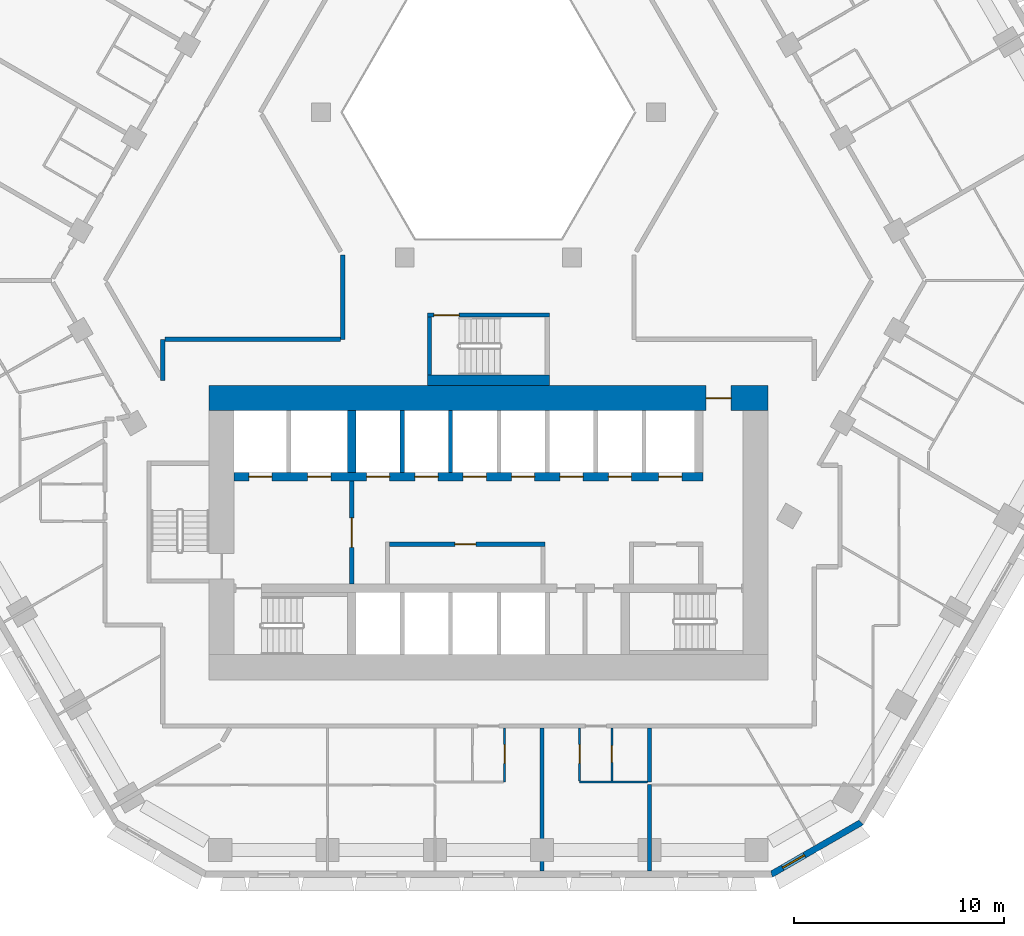
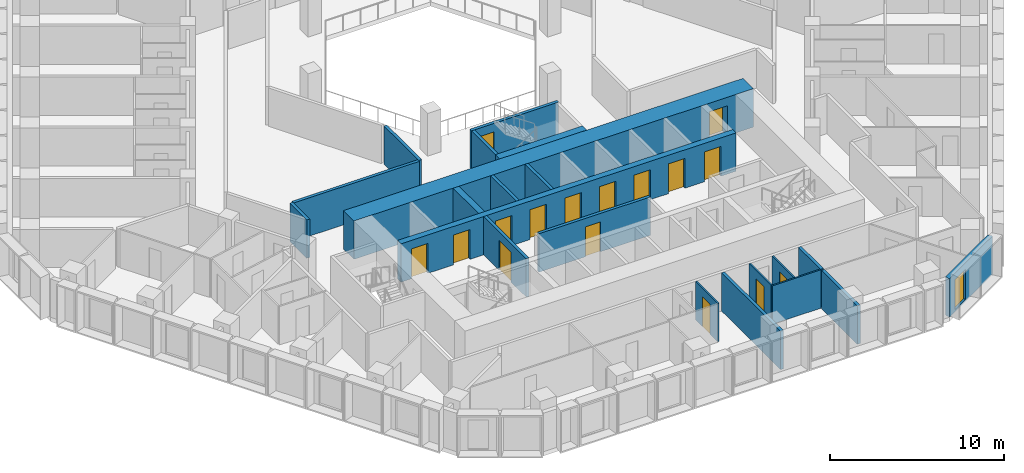
# One storey, part 5 of 16: 21 walls, 16 doors, 1 window, 17 openings.
"""IFC4 building model written with IfcOpenShell, lengths in metres."""

from ifc_helpers import new_model, si_unit, direction, frame, frame_2d, origin, place, context, subcontext, project, spatial, polyline, rectangle, outline, extrude, material, layer, layer_set, type_object, element, fill, save


model = new_model("IFC4")

# Units and contexts
model_context = context("Model", 3, precision=1e-05, world=origin(), true_north=direction((0.0, 1.0)))
body_context = subcontext(model_context, "Body", "Model", "MODEL_VIEW")
ifc_project = project(units=[si_unit("LENGTHUNIT", "METRE"), si_unit("AREAUNIT", "SQUARE_METRE"), si_unit("VOLUMEUNIT", "CUBIC_METRE"), si_unit("PLANEANGLEUNIT", "RADIAN"), si_unit("MASSUNIT", "GRAM", prefix="KILO")], contexts=[model_context])

# Site, building, storey
site_placement = place(None, origin())
site = spatial("IfcSite", under=ifc_project, at=site_placement, CompositionType="ELEMENT")
building_placement = place(site_placement, origin())
building = spatial("IfcBuilding", under=site, at=building_placement, Name="Beryl Residences", CompositionType="ELEMENT")
storey_placement = place(building_placement, frame((0.0, 0.0, 26.39990234375)))
storey = spatial("IfcBuildingStorey", under=building, at=storey_placement, Name="L07", CompositionType="ELEMENT", Elevation=26.39990234375)

# Wall, opening, window
ifc_material_1 = material(Name="Composite metal panel with mineral wool insulation")
ifc_layer_1 = layer(ifc_material_1, 0.300048828125)
ifc_layer_set_1 = layer_set([ifc_layer_1], Name="ES1 pale metal composite panel wall 300 mm")
wall_type_1 = type_object("IfcWallType", Name="ES1 pale metal composite panel wall 300 mm", PredefinedType="SOLIDWALL", material=ifc_layer_set_1)
wall_1_placement = place(storey_placement, frame((13.43505859375, -28.27001953125, 0.0), z_axis=(0.0, 0.0, 1.0), x_axis=(0.866010750942, 0.50002537861, 0.0)))
wall_1 = element("IfcWall", 1, at=wall_1_placement, inside=storey, type_object=wall_type_1, Name="ES1 external wall L07 S-SE", PredefinedType="SOLIDWALL", context=body_context, shape_type="SweptSolid", body=[
    extrude(outline(polyline([(0.0, -0.14990234375), (4.999755859375, -0.14990234375), (4.91943359375, 0.14990234375), (0.080322265625, 0.14990234375), (0.0, -0.14990234375)])), origin(), (0.0, 0.0, 1.0), 2.7001953125),
])
opening_1_placement = place(wall_1_placement, frame((0.64990234375, 0.0, 0.14990234375)))
opening_1 = element("IfcOpeningElement", 2, at=opening_1_placement, cuts=wall_1, Name="Opening W2", PredefinedType="OPENING", context=body_context, shape_type="SweptSolid", body=[
    extrude(rectangle(XDim=1.199951171875, YDim=2.10009765625, at=frame_2d((0.60009765625, 1.050048828125))), frame((0.0, 0.159912109375, 0.0), z_axis=(0.0, -1.0, 0.0), x_axis=(1.0, 0.0, 0.0)), (0.0, 0.0, 1.0), 0.320068359375),
])
ifc_material_2 = material(Name="Aluminium and clear glass", Category="aluminium")
window_type = type_object("IfcWindowType", Name="W2 chamfer window 1200 x 2100 mm", PartitioningType="SINGLE_PANEL", PredefinedType="WINDOW", material=ifc_material_2)
window_placement = place(opening_1_placement, origin())
window = element("IfcWindow", 3, at=window_placement, inside=storey, type_object=window_type, Name="W2 window L07 S-SE 1", OverallHeight=2.10009765625, OverallWidth=1.199951171875, PartitioningType="SINGLE_PANEL", PredefinedType="WINDOW", context=body_context, shape_type="SweptSolid", body=[
    extrude(rectangle(XDim=1.199951171875, YDim=2.10009765625, at=frame_2d((0.60009765625, 1.050048828125))), frame((0.0, 0.030029296875, 0.0), z_axis=(0.0, -1.0, 0.0), x_axis=(1.0, 0.0, 0.0)), (0.0, 0.0, 1.0), 0.06005859375),
])
fill(opening_1, window)

# Wall, opening, door
ifc_material_3 = material(Name="Gypsum board partition on steel studs", Category="steel")
ifc_layer_2 = layer(ifc_material_3, 0.10009765625)
ifc_layer_set_2 = layer_set([ifc_layer_2], Name="PT1 partition 100 mm gypsum board on steel studs")
wall_type_2 = type_object("IfcWallType", Name="PT1 partition 100 mm gypsum board on steel studs", PredefinedType="PARTITIONING", material=ifc_layer_set_2)
wall_2_placement = place(storey_placement, frame((4.339111328125, -21.300048828125, 0.0), z_axis=(0.0, 0.0, 1.0), x_axis=(0.0, -1.0, 0.0)))
wall_2 = element("IfcWall", 4, at=wall_2_placement, inside=storey, type_object=wall_type_2, Name="Wall PT1 L07 012", PredefinedType="PARTITIONING", context=body_context, shape_type="SweptSolid", body=[
    extrude(rectangle(XDim=2.509033203125, YDim=0.10009765625, at=frame_2d((1.25439453125, 0.0))), origin(), (0.0, 0.0, 1.0), 2.7001953125),
])
opening_2_placement = place(wall_2_placement, frame((0.780029296875, 0.0, 0.0)))
opening_2 = element("IfcOpeningElement", 5, at=opening_2_placement, cuts=wall_2, Name="Opening D0432", PredefinedType="OPENING", context=body_context, shape_type="SweptSolid", body=[
    extrude(rectangle(XDim=0.89990234375, YDim=2.10009765625, at=frame_2d((0.449951171875, 1.050048828125))), frame((0.0, 0.06005859375, 0.0), z_axis=(0.0, -1.0, 0.0), x_axis=(1.0, 0.0, 0.0)), (0.0, 0.0, 1.0), 0.1201171875),
])
ifc_material_4 = material(Name="Timber door leaf", Category="wood")
door_type_1 = type_object("IfcDoorType", Name="D2 room door 900 x 2100 mm", OperationType="SINGLE_SWING_LEFT", PredefinedType="DOOR", material=ifc_material_4)
door_1_placement = place(opening_2_placement, origin())
door_1 = element("IfcDoor", 6, at=door_1_placement, inside=storey, type_object=door_type_1, Name="Door D0432 L07 001", OperationType="SINGLE_SWING_RIGHT", OverallHeight=2.10009765625, OverallWidth=0.89990234375, PredefinedType="DOOR", context=body_context, shape_type="SweptSolid", body=[
    extrude(rectangle(XDim=0.89990234375, YDim=2.10009765625, at=frame_2d((0.449951171875, 1.050048828125))), frame((0.0, 0.02490234375, 0.0), z_axis=(0.0, -1.0, 0.0), x_axis=(1.0, 0.0, 0.0)), (0.0, 0.0, 1.0), 0.050048828125),
])
fill(opening_2, door_1)

# Wall
wall_3_placement = place(storey_placement, frame((4.340087890625, -23.860107421875, 0.0), z_axis=(0.0, 0.0, 1.0), x_axis=(1.0, 0.0, 0.0)))
element("IfcWall", 7, at=wall_3_placement, inside=storey, type_object=wall_type_2, Name="Wall PT1 L07 031", PredefinedType="PARTITIONING", context=body_context, shape_type="SweptSolid", body=[
    extrude(rectangle(XDim=3.216796875, YDim=0.10009765625, at=frame_2d((1.6083984375, 0.0))), origin(), (0.0, 0.0, 1.0), 2.7001953125),
])

# Wall, opening, door
wall_4_placement = place(storey_placement, frame((5.87109375, -23.81005859375, 0.0), z_axis=(0.0, 0.0, 1.0), x_axis=(0.0, 1.0, 0.0)))
wall_4 = element("IfcWall", 8, at=wall_4_placement, inside=storey, type_object=wall_type_2, Name="Wall PT1 L07 044", PredefinedType="PARTITIONING", context=body_context, shape_type="SweptSolid", body=[
    extrude(rectangle(XDim=2.510009765625, YDim=0.10009765625, at=frame_2d((1.2548828125, 0.0))), origin(), (0.0, 0.0, 1.0), 2.7001953125),
])
opening_3_placement = place(wall_4_placement, frame((0.8798828125, 0.0, 0.0)))
opening_3 = element("IfcOpeningElement", 9, at=opening_3_placement, cuts=wall_4, Name="Opening D0433", PredefinedType="OPENING", context=body_context, shape_type="SweptSolid", body=[
    extrude(rectangle(XDim=0.800048828125, YDim=2.10009765625, at=frame_2d((0.39990234375, 1.050048828125))), frame((0.0, 0.06005859375, 0.0), z_axis=(0.0, -1.0, 0.0), x_axis=(1.0, 0.0, 0.0)), (0.0, 0.0, 1.0), 0.1201171875),
])
ifc_material_5 = material(Name="Timber door leaf", Category="wood")
door_type_2 = type_object("IfcDoorType", Name="D3 bathroom door 800 x 2100 mm", OperationType="SINGLE_SWING_LEFT", PredefinedType="DOOR", material=ifc_material_5)
door_2_placement = place(opening_3_placement, origin())
door_2 = element("IfcDoor", 10, at=door_2_placement, inside=storey, type_object=door_type_2, Name="Door D0433 L07 001", OperationType="SINGLE_SWING_LEFT", OverallHeight=2.10009765625, OverallWidth=0.800048828125, PredefinedType="DOOR", context=body_context, shape_type="SweptSolid", body=[
    extrude(rectangle(XDim=0.800048828125, YDim=2.10009765625, at=frame_2d((0.39990234375, 1.050048828125))), frame((0.0, 0.02490234375, 0.0), z_axis=(0.0, -1.0, 0.0), x_axis=(1.0, 0.0, 0.0)), (0.0, 0.0, 1.0), 0.050048828125),
])
fill(opening_3, door_2)

wall_5_placement = place(storey_placement, frame((0.76708984375, -23.85888671875, 0.0), z_axis=(0.0, 0.0, 1.0), x_axis=(0.0, 1.0, 0.0)))
wall_5 = element("IfcWall", 11, at=wall_5_placement, inside=storey, type_object=wall_type_2, Name="Wall PT1 L07 045", PredefinedType="PARTITIONING", context=body_context, shape_type="SweptSolid", body=[
    extrude(rectangle(XDim=2.558837890625, YDim=0.10009765625, at=frame_2d((1.279296875, 0.0))), origin(), (0.0, 0.0, 1.0), 2.7001953125),
])
opening_4_placement = place(wall_5_placement, frame((0.87890625, 0.0, 0.0)))
opening_4 = element("IfcOpeningElement", 12, at=opening_4_placement, cuts=wall_5, Name="Opening D0425", PredefinedType="OPENING", context=body_context, shape_type="SweptSolid", body=[
    extrude(rectangle(XDim=0.89990234375, YDim=2.10009765625, at=frame_2d((0.449951171875, 1.050048828125))), frame((0.0, 0.06005859375, 0.0), z_axis=(0.0, -1.0, 0.0), x_axis=(1.0, 0.0, 0.0)), (0.0, 0.0, 1.0), 0.1201171875),
])
door_3_placement = place(opening_4_placement, origin())
door_3 = element("IfcDoor", 13, at=door_3_placement, inside=storey, type_object=door_type_1, Name="Door D0425 L07 001", OperationType="SINGLE_SWING_LEFT", OverallHeight=2.10009765625, OverallWidth=0.89990234375, PredefinedType="DOOR", context=body_context, shape_type="SweptSolid", body=[
    extrude(rectangle(XDim=0.89990234375, YDim=2.10009765625, at=frame_2d((0.449951171875, 1.050048828125))), frame((0.0, 0.02490234375, 0.0), z_axis=(0.0, -1.0, 0.0), x_axis=(1.0, 0.0, 0.0)), (0.0, 0.0, 1.0), 0.050048828125),
])
fill(opening_4, door_3)

ifc_material_6 = material(Name="Concrete masonry", Category="masonry")
ifc_layer_3 = layer(ifc_material_6, 0.199951171875)
ifc_layer_set_3 = layer_set([ifc_layer_3], Name="PT13 lobby wall 200 mm")
wall_type_3 = type_object("IfcWallType", Name="PT13 lobby wall 200 mm", PredefinedType="PARTITIONING", material=ifc_layer_set_3)
wall_6_placement = place(storey_placement, frame((-6.5, -14.449951171875, 0.0), z_axis=(0.0, 0.0, 1.0), x_axis=(0.0, 1.0, 0.0)))
wall_6 = element("IfcWall", 14, at=wall_6_placement, inside=storey, type_object=wall_type_3, Name="Lobby wall 06", PredefinedType="PARTITIONING", context=body_context, shape_type="SweptSolid", body=[
    extrude(rectangle(XDim=4.89990234375, YDim=0.199951171875, at=frame_2d((2.449951171875, 0.0))), origin(), (0.0, 0.0, 1.0), 2.7001953125),
])
opening_5_placement = place(wall_6_placement, frame((3.14990234375, 0.0, 0.0), z_axis=(0.0, 0.0, 1.0), x_axis=(-1.0, 0.0, 0.0)))
opening_5 = element("IfcOpeningElement", 15, at=opening_5_placement, cuts=wall_6, Name="Opening FD-FFL", PredefinedType="OPENING", context=body_context, shape_type="SweptSolid", body=[
    extrude(rectangle(XDim=1.39990234375, YDim=2.10009765625, at=frame_2d((0.699951171875, 1.050048828125))), frame((0.0, 0.10986328125, 0.0), z_axis=(0.0, -1.0, 0.0), x_axis=(1.0, 0.0, 0.0)), (0.0, 0.0, 1.0), 0.219970703125),
])
ifc_material_7 = material(Name="Steel door leaf in steel frame", Category="steel")
door_type_3 = type_object("IfcDoorType", Name="D5 lobby door 1400 x 2100 mm", OperationType="DOUBLE_DOOR_SINGLE_SWING", PredefinedType="DOOR", material=ifc_material_7)
door_4_placement = place(opening_5_placement, origin())
door_4 = element("IfcDoor", 16, at=door_4_placement, inside=storey, type_object=door_type_3, Name="Door FD-FFL L07 001", OperationType="DOUBLE_DOOR_SINGLE_SWING", OverallHeight=2.10009765625, OverallWidth=1.39990234375, PredefinedType="DOOR", context=body_context, shape_type="SweptSolid", body=[
    extrude(rectangle(XDim=1.39990234375, YDim=2.10009765625, at=frame_2d((0.699951171875, 1.050048828125))), frame((0.0, 0.02490234375, 0.0), z_axis=(0.0, -1.0, 0.0), x_axis=(1.0, 0.0, 0.0)), (0.0, 0.0, 1.0), 0.050048828125),
])
fill(opening_5, door_4)

wall_7_placement = place(storey_placement, frame((-4.699951171875, -12.550048828125, 0.0), z_axis=(0.0, 0.0, 1.0), x_axis=(1.0, 0.0, 0.0)))
wall_7 = element("IfcWall", 17, at=wall_7_placement, inside=storey, type_object=wall_type_3, Name="Lobby wall 08", PredefinedType="PARTITIONING", context=body_context, shape_type="SweptSolid", body=[
    extrude(rectangle(XDim=7.39990234375, YDim=0.199951171875, at=frame_2d((3.699951171875, 0.0))), origin(), (0.0, 0.0, 1.0), 2.7001953125),
])
opening_6_placement = place(wall_7_placement, frame((4.10009765625, 0.0, 0.0), z_axis=(0.0, 0.0, 1.0), x_axis=(-1.0, 0.0, 0.0)))
opening_6 = element("IfcOpeningElement", 18, at=opening_6_placement, cuts=wall_7, Name="Opening CD-D-A1", PredefinedType="OPENING", context=body_context, shape_type="SweptSolid", body=[
    extrude(rectangle(XDim=1.0, YDim=2.10009765625, at=frame_2d((0.5, 1.050048828125))), frame((0.0, 0.10986328125, 0.0), z_axis=(0.0, -1.0, 0.0), x_axis=(1.0, 0.0, 0.0)), (0.0, 0.0, 1.0), 0.219970703125),
])
ifc_material_8 = material(Name="Steel door leaf in steel frame", Category="steel")
door_type_4 = type_object("IfcDoorType", Name="D18 service room door 1000 x 2100 mm", OperationType="SINGLE_SWING_LEFT", PredefinedType="DOOR", material=ifc_material_8)
door_5_placement = place(opening_6_placement, origin())
door_5 = element("IfcDoor", 19, at=door_5_placement, inside=storey, type_object=door_type_4, Name="Door CD-D-A1 L07 001", OperationType="SINGLE_SWING_RIGHT", OverallHeight=2.10009765625, OverallWidth=1.0, PredefinedType="DOOR", context=body_context, shape_type="SweptSolid", body=[
    extrude(rectangle(XDim=1.0, YDim=2.10009765625, at=frame_2d((0.5, 1.050048828125))), frame((0.0, 0.02490234375, 0.0), z_axis=(0.0, -1.0, 0.0), x_axis=(1.0, 0.0, 0.0)), (0.0, 0.0, 1.0), 0.050048828125),
])
fill(opening_6, door_5)

# Walls
ifc_material_9 = material(Name="Acoustic double stud gypsum board wall")
ifc_layer_4 = layer(ifc_material_9, 0.199951171875)
ifc_layer_set_4 = layer_set([ifc_layer_4], Name="PT3 party wall 200 mm acoustic double stud")
wall_type_4 = type_object("IfcWallType", Name="PT3 party wall 200 mm acoustic double stud", PredefinedType="PARTITIONING", material=ifc_layer_set_4)
wall_8_placement = place(storey_placement, frame((2.552978515625, -21.300048828125, 0.0), z_axis=(0.0, 0.0, 1.0), x_axis=(0.0, -1.0, 0.0)))
element("IfcWall", 20, at=wall_8_placement, inside=storey, type_object=wall_type_4, Name="Wall PT3 L07 004", PredefinedType="PARTITIONING", context=body_context, shape_type="SweptSolid", body=[
    extrude(rectangle(XDim=6.800048828125, YDim=0.199951171875, at=frame_2d((3.39990234375, 0.0))), origin(), (0.0, 0.0, 1.0), 2.7001953125),
])
wall_9_placement = place(storey_placement, frame((7.656982421875, -28.10009765625, 0.0), z_axis=(0.0, 0.0, 1.0), x_axis=(0.0, 1.0, 0.0)))
element("IfcWall", 21, at=wall_9_placement, inside=storey, type_object=wall_type_4, Name="Wall PT3 L07 015", PredefinedType="PARTITIONING", context=body_context, shape_type="SweptSolid", body=[
    extrude(rectangle(XDim=4.1201171875, YDim=0.199951171875, at=frame_2d((2.06005859375, 0.0))), origin(), (0.0, 0.0, 1.0), 2.7001953125),
])
wall_10_placement = place(storey_placement, frame((7.656982421875, -23.860107421875, 0.0), z_axis=(0.0, 0.0, 1.0), x_axis=(0.0, 1.0, 0.0)))
element("IfcWall", 22, at=wall_10_placement, inside=storey, type_object=wall_type_4, Name="Wall PT3 L07 016", PredefinedType="PARTITIONING", context=body_context, shape_type="SweptSolid", body=[
    extrude(rectangle(XDim=2.56005859375, YDim=0.199951171875, at=frame_2d((1.280029296875, 0.0))), origin(), (0.0, 0.0, 1.0), 2.7001953125),
])
ifc_material_10 = material(Name="Double stud gypsum board wall")
ifc_layer_5 = layer(ifc_material_10, 0.199951171875)
ifc_layer_set_5 = layer_set([ifc_layer_5], Name="PT4 corridor wall 200 mm double stud")
wall_type_5 = type_object("IfcWallType", Name="PT4 corridor wall 200 mm double stud", PredefinedType="PARTITIONING", material=ifc_layer_set_5)
wall_11_placement = place(storey_placement, frame((-15.39990234375, -2.800048828125, 0.0), z_axis=(0.0, 0.0, 1.0), x_axis=(1.0, 0.0, 0.0)))
element("IfcWall", 23, at=wall_11_placement, inside=storey, type_object=wall_type_5, Name="Wall PT4 L07 014", PredefinedType="PARTITIONING", context=body_context, shape_type="SweptSolid", body=[
    extrude(rectangle(XDim=8.371826171875, YDim=0.199951171875, at=frame_2d((4.18603515625, 0.0))), origin(), (0.0, 0.0, 1.0), 2.7001953125),
])
wall_12_placement = place(storey_placement, frame((-6.927978515625, -2.800048828125, 0.0), z_axis=(0.0, 0.0, 1.0), x_axis=(0.0, 1.0, 0.0)))
element("IfcWall", 24, at=wall_12_placement, inside=storey, type_object=wall_type_5, Name="Wall PT4 L07 029", PredefinedType="PARTITIONING", context=body_context, shape_type="SweptSolid", body=[
    extrude(rectangle(XDim=4.0, YDim=0.199951171875, at=frame_2d((2.0, 0.0))), origin(), (0.0, 0.0, 1.0), 2.7001953125),
])
wall_13_placement = place(storey_placement, frame((-15.5, -4.75390625, 0.0), z_axis=(0.0, 0.0, 1.0), x_axis=(0.0, 1.0, 0.0)))
element("IfcWall", 25, at=wall_13_placement, inside=storey, type_object=wall_type_5, Name="Wall PT4 L07 030", PredefinedType="PARTITIONING", context=body_context, shape_type="SweptSolid", body=[
    extrude(rectangle(XDim=1.953857421875, YDim=0.199951171875, at=frame_2d((0.97705078125, 0.0))), origin(), (0.0, 0.0, 1.0), 2.7001953125),
])

# Wall, opening, door
ifc_material_11 = material(Name="Concrete C40/50", Category="concrete")
ifc_layer_6 = layer(ifc_material_11, 0.199951171875)
ifc_layer_set_6 = layer_set([ifc_layer_6], Name="PT5 stair enclosure wall 200 mm reinforced concrete C40/50")
wall_type_6 = type_object("IfcWallType", Name="PT5 stair enclosure wall 200 mm reinforced concrete C40/50", PredefinedType="SOLIDWALL", material=ifc_layer_set_6)
wall_14_placement = place(storey_placement, frame((-2.89990234375, -1.64990234375, 0.0), z_axis=(0.0, 0.0, 1.0), x_axis=(1.0, 0.0, 0.0)))
wall_14 = element("IfcWall", 26, at=wall_14_placement, inside=storey, type_object=wall_type_6, Name="Wall PT5 L07 001", PredefinedType="SOLIDWALL", context=body_context, shape_type="SweptSolid", body=[
    extrude(rectangle(XDim=5.7998046875, YDim=0.199951171875, at=frame_2d((2.89990234375, 0.0))), origin(), (0.0, 0.0, 1.0), 2.7001953125),
])
opening_7_placement = place(wall_14_placement, frame((0.300048828125, 0.0, 0.0)))
opening_7 = element("IfcOpeningElement", 27, at=opening_7_placement, cuts=wall_14, Name="Opening DS04", PredefinedType="OPENING", context=body_context, shape_type="SweptSolid", body=[
    extrude(rectangle(XDim=1.199951171875, YDim=2.10009765625, at=frame_2d((0.60009765625, 1.050048828125))), frame((0.0, 0.10986328125, 0.0), z_axis=(0.0, -1.0, 0.0), x_axis=(1.0, 0.0, 0.0)), (0.0, 0.0, 1.0), 0.219970703125),
])
ifc_material_12 = material(Name="Steel door leaf in steel frame", Category="steel")
door_type_5 = type_object("IfcDoorType", Name="D4 stair door 1200 x 2100 mm", OperationType="SINGLE_SWING_LEFT", PredefinedType="DOOR", material=ifc_material_12)
door_6_placement = place(opening_7_placement, origin())
door_6 = element("IfcDoor", 28, at=door_6_placement, inside=storey, type_object=door_type_5, Name="Door DS04 L07 001", OperationType="SINGLE_SWING_LEFT", OverallHeight=2.10009765625, OverallWidth=1.199951171875, PredefinedType="DOOR", context=body_context, shape_type="SweptSolid", body=[
    extrude(rectangle(XDim=1.199951171875, YDim=2.10009765625, at=frame_2d((0.60009765625, 1.050048828125))), frame((0.0, 0.02490234375, 0.0), z_axis=(0.0, -1.0, 0.0), x_axis=(1.0, 0.0, 0.0)), (0.0, 0.0, 1.0), 0.050048828125),
])
fill(opening_7, door_6)

# Walls
wall_15_placement = place(storey_placement, frame((-2.800048828125, -4.5, 0.0), z_axis=(0.0, 0.0, 1.0), x_axis=(0.0, 1.0, 0.0)))
element("IfcWall", 29, at=wall_15_placement, inside=storey, type_object=wall_type_6, Name="Wall PT5 L07 002", PredefinedType="SOLIDWALL", context=body_context, shape_type="SweptSolid", body=[
    extrude(rectangle(XDim=2.75, YDim=0.199951171875, at=frame_2d((1.375, 0.0))), origin(), (0.0, 0.0, 1.0), 2.7001953125),
])
ifc_material_13 = material(Name="Concrete C40/50", Category="concrete")
ifc_layer_7 = layer(ifc_material_13, 0.5)
ifc_layer_set_7 = layer_set([ifc_layer_7], Name="PT5-500 stair enclosure wall 500 mm")
wall_type_7 = type_object("IfcWallType", Name="PT5-500 stair enclosure wall 500 mm", PredefinedType="SOLIDWALL", material=ifc_layer_set_7)
wall_16_placement = place(storey_placement, frame((-2.89990234375, -4.75, 0.0), z_axis=(0.0, 0.0, 1.0), x_axis=(1.0, 0.0, 0.0)))
element("IfcWall", 30, at=wall_16_placement, inside=storey, type_object=wall_type_7, Name="Wall PT5-500 L07 001", PredefinedType="SOLIDWALL", context=body_context, shape_type="SweptSolid", body=[
    extrude(rectangle(XDim=5.7998046875, YDim=0.5, at=frame_2d((2.89990234375, 0.0))), origin(), (0.0, 0.0, 1.0), 2.7001953125),
])
ifc_material_14 = material(Name="Concrete C40/50", Category="concrete")
ifc_layer_8 = layer(ifc_material_14, 0.199951171875)
ifc_layer_set_8 = layer_set([ifc_layer_8], Name="PT6 lift shaft wall 200 mm reinforced concrete C40/50")
wall_type_8 = type_object("IfcWallType", Name="PT6 lift shaft wall 200 mm reinforced concrete C40/50", PredefinedType="SOLIDWALL", material=ifc_layer_set_8)
for number, where, z_axis, x_axis, name in (
    (31, (-4.10009765625, -9.14990234375, 0.0), (0.0, 0.0, 1.0), (0.0, 1.0, 0.0), "Lift shaft wall 10"),
    (32, (-1.800048828125, -9.14990234375, 0.0), (0.0, 0.0, 1.0), (0.0, 1.0, 0.0), "Lift shaft wall 12"),
):
    element("IfcWall", number, at=place(storey_placement, frame(where, z_axis=z_axis, x_axis=x_axis)), inside=storey, type_object=wall_type_8, Name=name, PredefinedType="SOLIDWALL", context=body_context, shape_type="SweptSolid", body=[
        extrude(rectangle(XDim=2.949951171875, YDim=0.199951171875, at=frame_2d((1.47509765625, 0.0))), origin(), (0.0, 0.0, 1.0), 2.7001953125),
    ])

# Wall, opening, door
ifc_material_15 = material(Name="Concrete C80/95", Category="concrete")
ifc_layer_9 = layer(ifc_material_15, 1.199951171875)
ifc_layer_set_9 = layer_set([ifc_layer_9], Name="SW1 core outer wall 1200 mm C80/95")
wall_type_9 = type_object("IfcWallType", Name="SW1 core outer wall 1200 mm C80/95", PredefinedType="SHEAR", material=ifc_layer_set_9)
wall_17_placement = place(storey_placement, frame((-13.300048828125, -5.60009765625, 0.0), z_axis=(0.0, 0.0, 1.0), x_axis=(1.0, 0.0, 0.0)))
wall_17 = element("IfcWall", 33, at=wall_17_placement, inside=storey, type_object=wall_type_9, Name="Core wall N L07", PredefinedType="SHEAR", context=body_context, shape_type="SweptSolid", body=[
    extrude(rectangle(XDim=26.60009765625, YDim=1.199951171875, at=frame_2d((13.300048828125, 0.0))), origin(), (0.0, 0.0, 1.0), 2.7001953125),
])
opening_8_placement = place(wall_17_placement, frame((23.64990234375, 0.0, 0.0)))
opening_8 = element("IfcOpeningElement", 34, at=opening_8_placement, cuts=wall_17, Name="Opening FD-NORTH", PredefinedType="OPENING", context=body_context, shape_type="SweptSolid", body=[
    extrude(rectangle(XDim=1.199951171875, YDim=2.10009765625, at=frame_2d((0.60009765625, 1.050048828125))), frame((0.0, 0.60986328125, 0.0), z_axis=(0.0, -1.0, 0.0), x_axis=(1.0, 0.0, 0.0)), (0.0, 0.0, 1.0), 1.219970703125),
])
ifc_material_16 = material(Name="Steel door leaf in steel frame", Category="steel")
door_type_6 = type_object("IfcDoorType", Name="D22 lobby door 1200 x 2100 mm", OperationType="DOUBLE_DOOR_SINGLE_SWING", PredefinedType="DOOR", material=ifc_material_16)
door_7_placement = place(opening_8_placement, origin())
door_7 = element("IfcDoor", 35, at=door_7_placement, inside=storey, type_object=door_type_6, Name="Door FD-NORTH L07 001", OperationType="DOUBLE_DOOR_SINGLE_SWING", OverallHeight=2.10009765625, OverallWidth=1.199951171875, PredefinedType="DOOR", context=body_context, shape_type="SweptSolid", body=[
    extrude(rectangle(XDim=1.199951171875, YDim=2.10009765625, at=frame_2d((0.60009765625, 1.050048828125))), frame((0.0, 0.02490234375, 0.0), z_axis=(0.0, -1.0, 0.0), x_axis=(1.0, 0.0, 0.0)), (0.0, 0.0, 1.0), 0.050048828125),
])
fill(opening_8, door_7)

# Wall, openings, doors
ifc_material_17 = material(Name="Concrete C80/95", Category="concrete")
ifc_layer_10 = layer(ifc_material_17, 0.39990234375)
ifc_layer_set_10 = layer_set([ifc_layer_10], Name="SW6 core internal wall 400 mm C80/95")
wall_type_10 = type_object("IfcWallType", Name="SW6 core internal wall 400 mm C80/95", PredefinedType="SHEAR", material=ifc_layer_set_10)
wall_18_placement = place(storey_placement, frame((-12.10009765625, -9.35009765625, 0.0), z_axis=(0.0, 0.0, 1.0), x_axis=(1.0, 0.0, 0.0)))
wall_18 = element("IfcWall", 36, at=wall_18_placement, inside=storey, type_object=wall_type_10, Name="Core wall SP2 L07", PredefinedType="SHEAR", context=body_context, shape_type="SweptSolid", body=[
    extrude(rectangle(XDim=22.300048828125, YDim=0.39990234375, at=frame_2d((11.14990234375, 0.0))), origin(), (0.0, 0.0, 1.0), 2.7001953125),
])
opening_9_placement = place(wall_18_placement, frame((0.699951171875, 0.0, 0.0)))
opening_9 = element("IfcOpeningElement", 37, at=opening_9_placement, cuts=wall_18, Name="Opening LD-FF1", PredefinedType="OPENING", context=body_context, shape_type="SweptSolid", body=[
    extrude(rectangle(XDim=1.10009765625, YDim=2.10009765625, at=frame_2d((0.550048828125, 1.050048828125))), frame((0.0, 0.2099609375, 0.0), z_axis=(0.0, -1.0, 0.0), x_axis=(1.0, 0.0, 0.0)), (0.0, 0.0, 1.0), 0.419921875),
])
opening_10_placement = place(wall_18_placement, frame((3.5, 0.0, 0.0)))
opening_10 = element("IfcOpeningElement", 38, at=opening_10_placement, cuts=wall_18, Name="Opening LD-FF2", PredefinedType="OPENING", context=body_context, shape_type="SweptSolid", body=[
    extrude(rectangle(XDim=1.10009765625, YDim=2.10009765625, at=frame_2d((0.550048828125, 1.050048828125))), frame((0.0, 0.2099609375, 0.0), z_axis=(0.0, -1.0, 0.0), x_axis=(1.0, 0.0, 0.0)), (0.0, 0.0, 1.0), 0.419921875),
])
opening_11_placement = place(wall_18_placement, frame((6.300048828125, 0.0, 0.0)))
opening_11 = element("IfcOpeningElement", 39, at=opening_11_placement, cuts=wall_18, Name="Opening LD-LR1", PredefinedType="OPENING", context=body_context, shape_type="SweptSolid", body=[
    extrude(rectangle(XDim=1.10009765625, YDim=2.10009765625, at=frame_2d((0.550048828125, 1.050048828125))), frame((0.0, 0.2099609375, 0.0), z_axis=(0.0, -1.0, 0.0), x_axis=(1.0, 0.0, 0.0)), (0.0, 0.0, 1.0), 0.419921875),
])
opening_12_placement = place(wall_18_placement, frame((8.60009765625, 0.0, 0.0)))
opening_12 = element("IfcOpeningElement", 40, at=opening_12_placement, cuts=wall_18, Name="Opening LD-LR2", PredefinedType="OPENING", context=body_context, shape_type="SweptSolid", body=[
    extrude(rectangle(XDim=1.10009765625, YDim=2.10009765625, at=frame_2d((0.550048828125, 1.050048828125))), frame((0.0, 0.2099609375, 0.0), z_axis=(0.0, -1.0, 0.0), x_axis=(1.0, 0.0, 0.0)), (0.0, 0.0, 1.0), 0.419921875),
])
opening_13_placement = place(wall_18_placement, frame((10.89990234375, 0.0, 0.0)))
opening_13 = element("IfcOpeningElement", 41, at=opening_13_placement, cuts=wall_18, Name="Opening LD-LR3", PredefinedType="OPENING", context=body_context, shape_type="SweptSolid", body=[
    extrude(rectangle(XDim=1.10009765625, YDim=2.10009765625, at=frame_2d((0.550048828125, 1.050048828125))), frame((0.0, 0.2099609375, 0.0), z_axis=(0.0, -1.0, 0.0), x_axis=(1.0, 0.0, 0.0)), (0.0, 0.0, 1.0), 0.419921875),
])
opening_14_placement = place(wall_18_placement, frame((13.199951171875, 0.0, 0.0)))
opening_14 = element("IfcOpeningElement", 42, at=opening_14_placement, cuts=wall_18, Name="Opening LD-LR4", PredefinedType="OPENING", context=body_context, shape_type="SweptSolid", body=[
    extrude(rectangle(XDim=1.10009765625, YDim=2.10009765625, at=frame_2d((0.550048828125, 1.050048828125))), frame((0.0, 0.2099609375, 0.0), z_axis=(0.0, -1.0, 0.0), x_axis=(1.0, 0.0, 0.0)), (0.0, 0.0, 1.0), 0.419921875),
])
opening_15_placement = place(wall_18_placement, frame((15.5, 0.0, 0.0)))
opening_15 = element("IfcOpeningElement", 43, at=opening_15_placement, cuts=wall_18, Name="Opening LD-LR5", PredefinedType="OPENING", context=body_context, shape_type="SweptSolid", body=[
    extrude(rectangle(XDim=1.10009765625, YDim=2.10009765625, at=frame_2d((0.550048828125, 1.050048828125))), frame((0.0, 0.2099609375, 0.0), z_axis=(0.0, -1.0, 0.0), x_axis=(1.0, 0.0, 0.0)), (0.0, 0.0, 1.0), 0.419921875),
])
opening_16_placement = place(wall_18_placement, frame((17.800048828125, 0.0, 0.0)))
opening_16 = element("IfcOpeningElement", 44, at=opening_16_placement, cuts=wall_18, Name="Opening LD-LR6", PredefinedType="OPENING", context=body_context, shape_type="SweptSolid", body=[
    extrude(rectangle(XDim=1.10009765625, YDim=2.10009765625, at=frame_2d((0.550048828125, 1.050048828125))), frame((0.0, 0.2099609375, 0.0), z_axis=(0.0, -1.0, 0.0), x_axis=(1.0, 0.0, 0.0)), (0.0, 0.0, 1.0), 0.419921875),
])
opening_17_placement = place(wall_18_placement, frame((20.199951171875, 0.0, 0.0)))
opening_17 = element("IfcOpeningElement", 45, at=opening_17_placement, cuts=wall_18, Name="Opening LD-SL1", PredefinedType="OPENING", context=body_context, shape_type="SweptSolid", body=[
    extrude(rectangle(XDim=1.10009765625, YDim=2.10009765625, at=frame_2d((0.550048828125, 1.050048828125))), frame((0.0, 0.2099609375, 0.0), z_axis=(0.0, -1.0, 0.0), x_axis=(1.0, 0.0, 0.0)), (0.0, 0.0, 1.0), 0.419921875),
])
ifc_material_18 = material(Name="Stainless steel sliding door", Category="steel")
door_type_7 = type_object("IfcDoorType", Name="LD1 lift landing door 1100 x 2100 mm", OperationType="DOUBLE_DOOR_SLIDING", PredefinedType="DOOR", material=ifc_material_18)
door_8_placement = place(opening_9_placement, origin())
door_8 = element("IfcDoor", 46, at=door_8_placement, inside=storey, type_object=door_type_7, Name="Lift landing door FF1", OperationType="DOUBLE_DOOR_SLIDING", OverallHeight=2.10009765625, OverallWidth=1.10009765625, PredefinedType="DOOR", context=body_context, shape_type="SweptSolid", body=[
    extrude(rectangle(XDim=1.10009765625, YDim=2.10009765625, at=frame_2d((0.550048828125, 1.050048828125))), frame((0.0, 0.02490234375, 0.0), z_axis=(0.0, -1.0, 0.0), x_axis=(1.0, 0.0, 0.0)), (0.0, 0.0, 1.0), 0.050048828125),
])
fill(opening_9, door_8)
door_9_placement = place(opening_10_placement, origin())
door_9 = element("IfcDoor", 47, at=door_9_placement, inside=storey, type_object=door_type_7, Name="Lift landing door FF2", OperationType="DOUBLE_DOOR_SLIDING", OverallHeight=2.10009765625, OverallWidth=1.10009765625, PredefinedType="DOOR", context=body_context, shape_type="SweptSolid", body=[
    extrude(rectangle(XDim=1.10009765625, YDim=2.10009765625, at=frame_2d((0.550048828125, 1.050048828125))), frame((0.0, 0.02490234375, 0.0), z_axis=(0.0, -1.0, 0.0), x_axis=(1.0, 0.0, 0.0)), (0.0, 0.0, 1.0), 0.050048828125),
])
fill(opening_10, door_9)
door_10_placement = place(opening_11_placement, origin())
door_10 = element("IfcDoor", 48, at=door_10_placement, inside=storey, type_object=door_type_7, Name="Lift landing door LR1", OperationType="DOUBLE_DOOR_SLIDING", OverallHeight=2.10009765625, OverallWidth=1.10009765625, PredefinedType="DOOR", context=body_context, shape_type="SweptSolid", body=[
    extrude(rectangle(XDim=1.10009765625, YDim=2.10009765625, at=frame_2d((0.550048828125, 1.050048828125))), frame((0.0, 0.02490234375, 0.0), z_axis=(0.0, -1.0, 0.0), x_axis=(1.0, 0.0, 0.0)), (0.0, 0.0, 1.0), 0.050048828125),
])
fill(opening_11, door_10)
door_11_placement = place(opening_12_placement, origin())
door_11 = element("IfcDoor", 49, at=door_11_placement, inside=storey, type_object=door_type_7, Name="Lift landing door LR2", OperationType="DOUBLE_DOOR_SLIDING", OverallHeight=2.10009765625, OverallWidth=1.10009765625, PredefinedType="DOOR", context=body_context, shape_type="SweptSolid", body=[
    extrude(rectangle(XDim=1.10009765625, YDim=2.10009765625, at=frame_2d((0.550048828125, 1.050048828125))), frame((0.0, 0.02490234375, 0.0), z_axis=(0.0, -1.0, 0.0), x_axis=(1.0, 0.0, 0.0)), (0.0, 0.0, 1.0), 0.050048828125),
])
fill(opening_12, door_11)
door_12_placement = place(opening_13_placement, origin())
door_12 = element("IfcDoor", 50, at=door_12_placement, inside=storey, type_object=door_type_7, Name="Lift landing door LR3", OperationType="DOUBLE_DOOR_SLIDING", OverallHeight=2.10009765625, OverallWidth=1.10009765625, PredefinedType="DOOR", context=body_context, shape_type="SweptSolid", body=[
    extrude(rectangle(XDim=1.10009765625, YDim=2.10009765625, at=frame_2d((0.550048828125, 1.050048828125))), frame((0.0, 0.02490234375, 0.0), z_axis=(0.0, -1.0, 0.0), x_axis=(1.0, 0.0, 0.0)), (0.0, 0.0, 1.0), 0.050048828125),
])
fill(opening_13, door_12)
door_13_placement = place(opening_14_placement, origin())
door_13 = element("IfcDoor", 51, at=door_13_placement, inside=storey, type_object=door_type_7, Name="Lift landing door LR4", OperationType="DOUBLE_DOOR_SLIDING", OverallHeight=2.10009765625, OverallWidth=1.10009765625, PredefinedType="DOOR", context=body_context, shape_type="SweptSolid", body=[
    extrude(rectangle(XDim=1.10009765625, YDim=2.10009765625, at=frame_2d((0.550048828125, 1.050048828125))), frame((0.0, 0.02490234375, 0.0), z_axis=(0.0, -1.0, 0.0), x_axis=(1.0, 0.0, 0.0)), (0.0, 0.0, 1.0), 0.050048828125),
])
fill(opening_14, door_13)
door_14_placement = place(opening_15_placement, origin())
door_14 = element("IfcDoor", 52, at=door_14_placement, inside=storey, type_object=door_type_7, Name="Lift landing door LR5", OperationType="DOUBLE_DOOR_SLIDING", OverallHeight=2.10009765625, OverallWidth=1.10009765625, PredefinedType="DOOR", context=body_context, shape_type="SweptSolid", body=[
    extrude(rectangle(XDim=1.10009765625, YDim=2.10009765625, at=frame_2d((0.550048828125, 1.050048828125))), frame((0.0, 0.02490234375, 0.0), z_axis=(0.0, -1.0, 0.0), x_axis=(1.0, 0.0, 0.0)), (0.0, 0.0, 1.0), 0.050048828125),
])
fill(opening_15, door_14)
door_15_placement = place(opening_16_placement, origin())
door_15 = element("IfcDoor", 53, at=door_15_placement, inside=storey, type_object=door_type_7, Name="Lift landing door LR6", OperationType="DOUBLE_DOOR_SLIDING", OverallHeight=2.10009765625, OverallWidth=1.10009765625, PredefinedType="DOOR", context=body_context, shape_type="SweptSolid", body=[
    extrude(rectangle(XDim=1.10009765625, YDim=2.10009765625, at=frame_2d((0.550048828125, 1.050048828125))), frame((0.0, 0.02490234375, 0.0), z_axis=(0.0, -1.0, 0.0), x_axis=(1.0, 0.0, 0.0)), (0.0, 0.0, 1.0), 0.050048828125),
])
fill(opening_16, door_15)
door_16_placement = place(opening_17_placement, origin())
door_16 = element("IfcDoor", 54, at=door_16_placement, inside=storey, type_object=door_type_7, Name="Lift landing door SL1", OperationType="DOUBLE_DOOR_SLIDING", OverallHeight=2.10009765625, OverallWidth=1.10009765625, PredefinedType="DOOR", context=body_context, shape_type="SweptSolid", body=[
    extrude(rectangle(XDim=1.10009765625, YDim=2.10009765625, at=frame_2d((0.550048828125, 1.050048828125))), frame((0.0, 0.02490234375, 0.0), z_axis=(0.0, -1.0, 0.0), x_axis=(1.0, 0.0, 0.0)), (0.0, 0.0, 1.0), 0.050048828125),
])
fill(opening_17, door_16)

# Wall
wall_19_placement = place(storey_placement, frame((-6.5, -9.14990234375, 0.0), z_axis=(0.0, 0.0, 1.0), x_axis=(0.0, 1.0, 0.0)))
element("IfcWall", 55, at=wall_19_placement, inside=storey, type_object=wall_type_10, Name="Core wall XN1 L07", PredefinedType="SHEAR", context=body_context, shape_type="SweptSolid", body=[
    extrude(rectangle(XDim=2.949951171875, YDim=0.39990234375, at=frame_2d((1.47509765625, 0.0))), origin(), (0.0, 0.0, 1.0), 2.7001953125),
])

save(model, "model.ifc")
